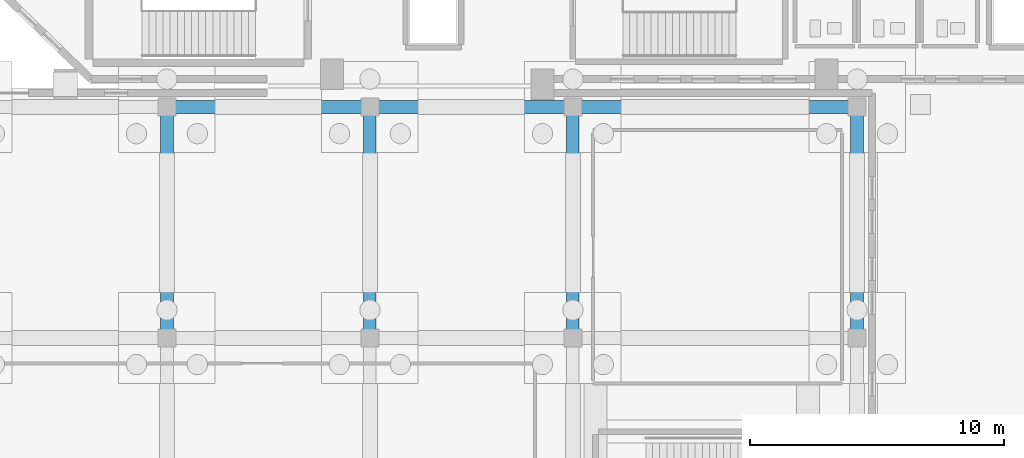
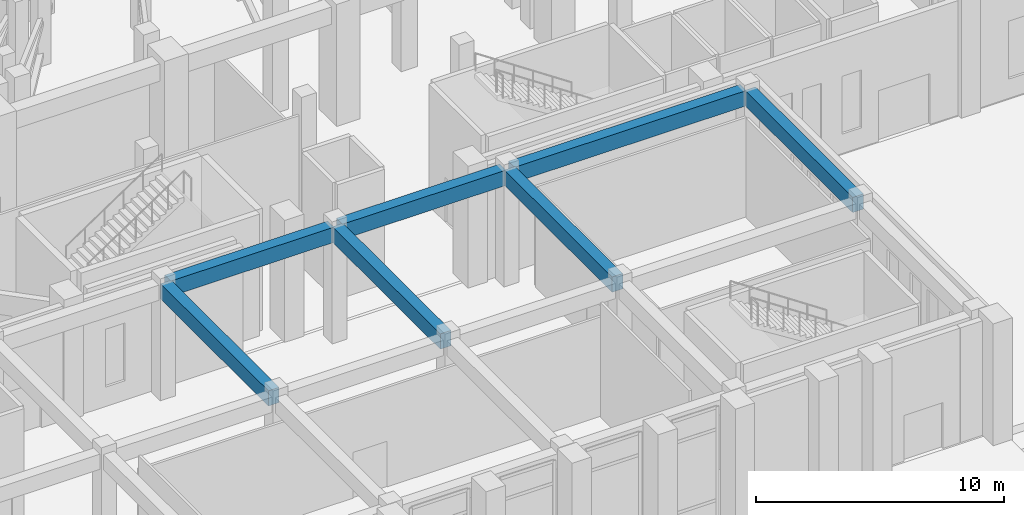
# One storey, part 26 of 143: 7 beams.
"""IFC4 building model written with IfcOpenShell, lengths in metres."""

from ifc_helpers import new_model, si_unit, derived_unit, direction, frame, origin, origin_2d, place, context, subcontext, project, spatial, rectangle, extrude, material, material_profile, profile_set, type_object, element, save


model = new_model("IFC4")

# Units and contexts
model_context = context("Model", 3, precision=1e-05, world=origin(), true_north=direction((0.0, 1.0)))
body_context = subcontext(model_context, "Body", "Model", "MODEL_VIEW")
ifc_project = project(units=[si_unit("LENGTHUNIT", "METRE"), si_unit("AREAUNIT", "SQUARE_METRE"), si_unit("VOLUMEUNIT", "CUBIC_METRE"), si_unit("PLANEANGLEUNIT", "RADIAN"), si_unit("MASSUNIT", "GRAM", prefix="KILO"), derived_unit("THERMALTRANSMITTANCEUNIT", [(si_unit("MASSUNIT", "GRAM", prefix="KILO"), 1), (si_unit("TIMEUNIT", "SECOND"), -3), (si_unit("THERMODYNAMICTEMPERATUREUNIT", "KELVIN"), -1)])], contexts=[model_context])

# Site, building, storey
site_placement = place(None, origin())
site = spatial("IfcSite", under=ifc_project, at=site_placement, CompositionType="ELEMENT")
building_placement = place(site_placement, origin())
building = spatial("IfcBuilding", under=site, at=building_placement, Name="Valcora Ridge Arena", CompositionType="ELEMENT")
storey_placement = place(building_placement, origin())
storey = spatial("IfcBuildingStorey", under=building, at=storey_placement, Name="L00", CompositionType="ELEMENT", Elevation=0.0)

# Beams
ifc_material = material(Name="Concrete C40/50", Category="concrete")
ifc_material_profile_1 = material_profile(ifc_material, rectangle(XDim=0.5, YDim=0.75, at=origin_2d()), Name="RC 500x750")
ifc_profile_set_1 = profile_set([ifc_material_profile_1], Name="Concrete C40/50")
beam_type_1 = type_object("IfcBeamType", Name="TY-BEAM-B-RC500-X", PredefinedType="BEAM", material=ifc_profile_set_1)
for number, where, z_axis, x_axis, name in (
    (1, (32.199951171875, 19.10009765625, 5.264892578125), (1.0, 0.0, 0.0), (0.0, 1.0, 0.0), "B-RC500-X BEM-B-RC500-X-0012"),
    (2, (40.199951171875, 19.10009765625, 5.264892578125), (1.0, 0.0, 0.0), (0.0, 1.0, 0.0), "B-RC500-X BEM-B-RC500-X-0013"),
):
    element("IfcBeam", number, at=place(storey_placement, frame(where, z_axis=z_axis, x_axis=x_axis)), inside=storey, type_object=beam_type_1, Name=name, PredefinedType="BEAM", context=body_context, shape_type="SweptSolid", body=[
        extrude(rectangle(XDim=0.5, YDim=0.75, at=origin_2d()), origin(), (0.0, 0.0, 1.0), 7.60009765625),
    ])
beam_placement = place(storey_placement, frame((48.199951171875, 19.10009765625, 5.264892578125), z_axis=(1.0, 0.0, 0.0), x_axis=(0.0, 1.0, 0.0)))
element("IfcBeam", 3, at=beam_placement, inside=storey, type_object=beam_type_1, Name="B-RC500-X BEM-B-RC500-X-0014", PredefinedType="BEAM", context=body_context, shape_type="SweptSolid", body=[
    extrude(rectangle(XDim=0.5, YDim=0.75, at=origin_2d()), origin(), (0.0, 0.0, 1.0), 10.800048828125),
])
ifc_material_profile_2 = material_profile(ifc_material, rectangle(XDim=0.5, YDim=0.75, at=origin_2d()), Name="RC 500x750")
ifc_profile_set_2 = profile_set([ifc_material_profile_2], Name="Concrete C40/50")
beam_type_2 = type_object("IfcBeamType", Name="TY-BEAM-B-RC500-Y", PredefinedType="BEAM", material=ifc_profile_set_2)
for number, where, z_axis, x_axis, name in (
    (4, (32.0, 10.199951171875, 5.264892578125), (0.0, 1.0, 0.0), (-1.0, 0.0, 0.0), "B-RC500-Y BEM-B-RC500-Y-0027"),
    (5, (40.0, 10.199951171875, 5.264892578125), (0.0, 1.0, 0.0), (-1.0, 0.0, 0.0), "B-RC500-Y BEM-B-RC500-Y-0029"),
    (6, (48.0, 10.199951171875, 5.264892578125), (0.0, 1.0, 0.0), (-1.0, 0.0, 0.0), "B-RC500-Y BEM-B-RC500-Y-0031"),
    (7, (59.199951171875, 10.199951171875, 5.264892578125), (0.0, 1.0, 0.0), (-1.0, 0.0, 0.0), "B-RC500-Y BEM-B-RC500-Y-0033"),
):
    element("IfcBeam", number, at=place(storey_placement, frame(where, z_axis=z_axis, x_axis=x_axis)), inside=storey, type_object=beam_type_2, Name=name, PredefinedType="BEAM", context=body_context, shape_type="SweptSolid", body=[
        extrude(rectangle(XDim=0.5, YDim=0.75, at=origin_2d()), origin(), (0.0, 0.0, 1.0), 8.699951171875),
    ])

save(model, "model.ifc")
